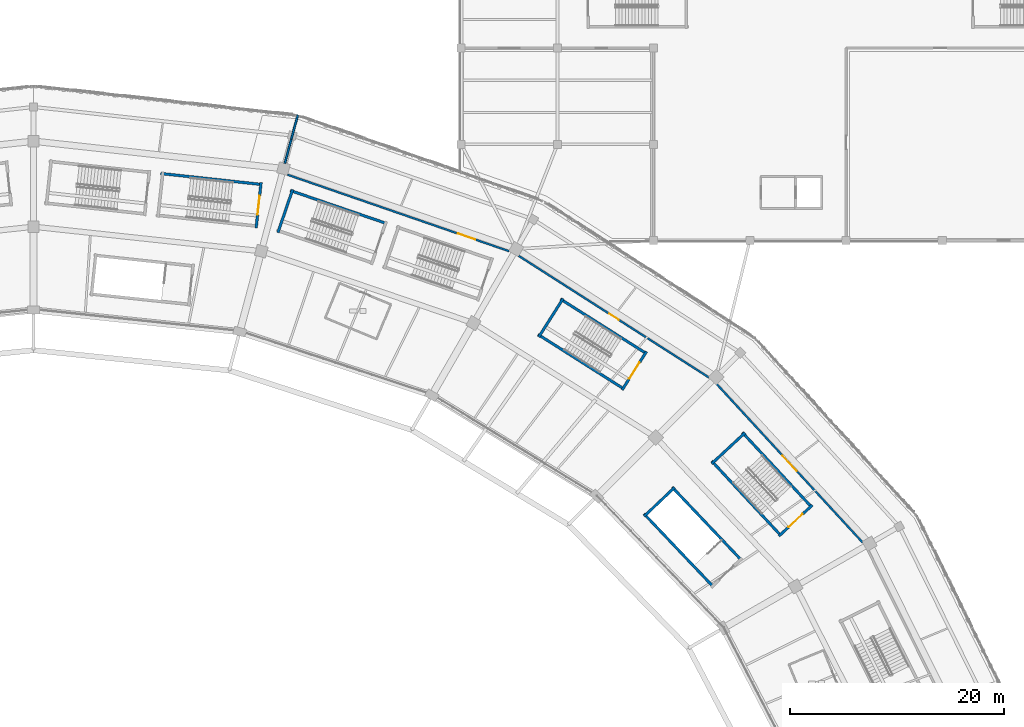
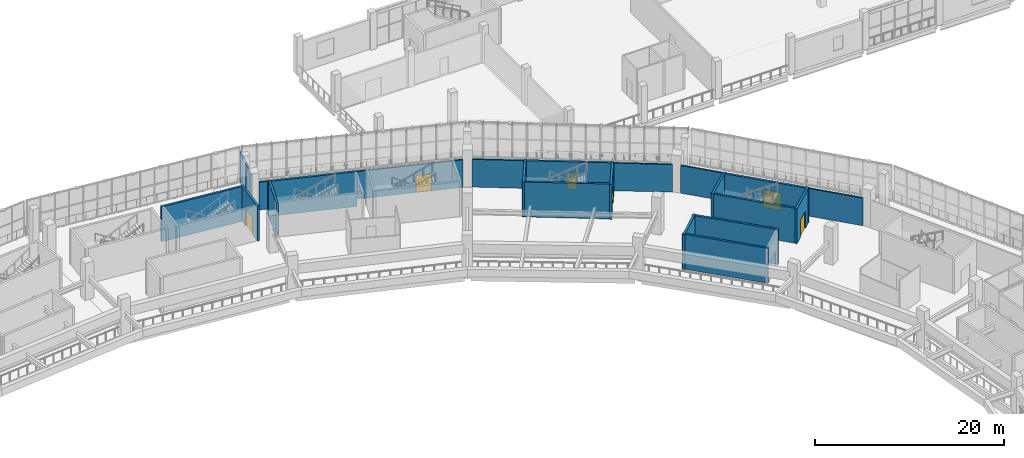
# One storey, part 111 of 179: 20 walls, 6 doors, 6 openings.
"""IFC4 building model written with IfcOpenShell, lengths in metres."""

from ifc_helpers import new_model, si_unit, direction, frame, frame_2d, origin, place, context, subcontext, project, spatial, rectangle, extrude, material, layer, layer_set, type_object, element, fill, save


model = new_model("IFC4")

# Units and contexts
model_context = context("Model", 3, precision=1e-05, world=origin(), true_north=direction((0.0, 1.0)))
body_context = subcontext(model_context, "Body", "Model", "MODEL_VIEW")
ifc_project = project(units=[si_unit("LENGTHUNIT", "METRE"), si_unit("AREAUNIT", "SQUARE_METRE"), si_unit("VOLUMEUNIT", "CUBIC_METRE"), si_unit("PLANEANGLEUNIT", "RADIAN"), si_unit("MASSUNIT", "GRAM", prefix="KILO")], contexts=[model_context])

# Site, building, storey
site_placement = place(None, origin())
site = spatial("IfcSite", under=ifc_project, at=site_placement, CompositionType="ELEMENT")
building_placement = place(site_placement, origin())
building = spatial("IfcBuilding", under=site, at=building_placement, Name="Zevraka Park Crest Stadium", CompositionType="ELEMENT")
storey_placement = place(building_placement, frame((0.0, 0.0, 10.199951171875)))
storey = spatial("IfcBuildingStorey", under=building, at=storey_placement, Name="L02", CompositionType="ELEMENT", Elevation=10.199951171875)

# Wall, opening, door
ifc_material_1 = material(Name="Fire-rated twin-stud acoustic drywall", Category="other")
ifc_layer_1 = layer(ifc_material_1, 0.179931640625)
ifc_layer_set_1 = layer_set([ifc_layer_1], Name="Fire-rated twin-stud acoustic drywall")
wall_type_1 = type_object("IfcWallType", Name="IW06", PredefinedType="PARTITIONING", material=ifc_layer_set_1)
wall_1_placement = place(storey_placement, frame((189.56005859375, 129.741943359375, 0.0), z_axis=(0.0, 0.0, 1.0), x_axis=(-0.677448860536, 0.735569875239, 0.0)))
wall_1 = element("IfcWall", 1, at=wall_1_placement, inside=storey, type_object=wall_type_1, Name="Interior Partition IW06 East Club Dining Lounge L02", PredefinedType="PARTITIONING", context=body_context, shape_type="SweptSolid", body=[
    extrude(rectangle(XDim=20.16259765625, YDim=0.179931640625, at=frame_2d((10.081298828125, 0.0))), origin(), (0.0, 0.0, 1.0), 3.56494140625),
])
opening_1_placement = place(wall_1_placement, frame((9.10595703125, 0.0, 0.0)))
opening_1 = element("IfcOpeningElement", 2, at=opening_1_placement, cuts=wall_1, Name="Opening D-L02-401", PredefinedType="OPENING", context=body_context, shape_type="SweptSolid", body=[
    extrude(rectangle(XDim=1.949951171875, YDim=2.35009765625, at=frame_2d((0.97509765625, 1.175048828125))), frame((0.0, 0.099853515625, 0.0), z_axis=(0.0, -1.0, 0.0), x_axis=(1.0, 0.0, 0.0)), (0.0, 0.0, 1.0), 0.199951171875),
])
ifc_material_2 = material(Name="Solid-core hardwood timber leaf in steel frame", Category="steel")
door_type_1 = type_object("IfcDoorType", Name="DR28", OperationType="NOTDEFINED", PredefinedType="DOOR", material=ifc_material_2)
door_1_placement = place(opening_1_placement, origin())
door_1 = element("IfcDoor", 3, at=door_1_placement, inside=storey, type_object=door_type_1, Name="East Club Dining Lounge Door D-L02-401", OperationType="DOUBLE_DOOR_SINGLE_SWING", OverallHeight=2.35009765625, OverallWidth=1.949951171875, PredefinedType="DOOR", context=body_context, shape_type="SweptSolid", body=[
    extrude(rectangle(XDim=1.949951171875, YDim=2.35009765625, at=frame_2d((0.97509765625, 1.175048828125))), frame((0.0, 0.02490234375, 0.0), z_axis=(0.0, -1.0, 0.0), x_axis=(1.0, 0.0, 0.0)), (0.0, 0.0, 1.0), 0.050048828125),
])
fill(opening_1, door_1)

wall_2_placement = place(storey_placement, frame((175.201904296875, 145.174072265625, 0.0), z_axis=(0.0, 0.0, 1.0), x_axis=(-0.842559137296, 0.538603843431, 0.0)))
wall_2 = element("IfcWall", 4, at=wall_2_placement, inside=storey, type_object=wall_type_1, Name="Interior Partition IW06 East Club Dining Lounge L02", PredefinedType="PARTITIONING", context=body_context, shape_type="SweptSolid", body=[
    extrude(rectangle(XDim=21.163818359375, YDim=0.179931640625, at=frame_2d((10.58203125, 0.0))), origin(), (0.0, 0.0, 1.0), 3.56494140625),
])
opening_2_placement = place(wall_2_placement, frame((10.056884765625, 0.0, 0.0)))
opening_2 = element("IfcOpeningElement", 5, at=opening_2_placement, cuts=wall_2, Name="Opening D-L02-402", PredefinedType="OPENING", context=body_context, shape_type="SweptSolid", body=[
    extrude(rectangle(XDim=1.050048828125, YDim=2.14990234375, at=frame_2d((0.52490234375, 1.074951171875))), frame((0.0, 0.099853515625, 0.0), z_axis=(0.0, -1.0, 0.0), x_axis=(1.0, 0.0, 0.0)), (0.0, 0.0, 1.0), 0.199951171875),
])
ifc_material_3 = material(Name="Solid-core hardwood timber leaf in steel frame", Category="steel")
door_type_2 = type_object("IfcDoorType", Name="DR02", OperationType="NOTDEFINED", PredefinedType="DOOR", material=ifc_material_3)
door_2_placement = place(opening_2_placement, origin())
door_2 = element("IfcDoor", 6, at=door_2_placement, inside=storey, type_object=door_type_2, Name="East Club Dining Lounge Door D-L02-402", OperationType="SINGLE_SWING_RIGHT", OverallHeight=2.14990234375, OverallWidth=1.050048828125, PredefinedType="DOOR", context=body_context, shape_type="SweptSolid", body=[
    extrude(rectangle(XDim=1.050048828125, YDim=2.14990234375, at=frame_2d((0.52490234375, 1.074951171875))), frame((0.0, 0.02490234375, 0.0), z_axis=(0.0, -1.0, 0.0), x_axis=(1.0, 0.0, 0.0)), (0.0, 0.0, 1.0), 0.050048828125),
])
fill(opening_2, door_2)

wall_3_placement = place(storey_placement, frame((156.493896484375, 157.001953125, 0.0), z_axis=(0.0, 0.0, 1.0), x_axis=(-0.94529233531, 0.326224463834, 0.0)))
wall_3 = element("IfcWall", 7, at=wall_3_placement, inside=storey, type_object=wall_type_1, Name="Interior Partition IW06 East Club Dining Lounge L02", PredefinedType="PARTITIONING", context=body_context, shape_type="SweptSolid", body=[
    extrude(rectangle(XDim=21.948486328125, YDim=0.179931640625, at=frame_2d((10.97412109375, 0.0))), origin(), (0.0, 0.0, 1.0), 3.56494140625),
])
opening_3_placement = place(wall_3_placement, frame((3.3779296875, 0.0, 0.0)))
opening_3 = element("IfcOpeningElement", 8, at=opening_3_placement, cuts=wall_3, Name="Opening D-L02-403", PredefinedType="OPENING", context=body_context, shape_type="SweptSolid", body=[
    extrude(rectangle(XDim=1.699951171875, YDim=2.199951171875, at=frame_2d((0.85009765625, 1.10009765625))), frame((0.0, 0.099853515625, 0.0), z_axis=(0.0, -1.0, 0.0), x_axis=(1.0, 0.0, 0.0)), (0.0, 0.0, 1.0), 0.199951171875),
])
ifc_material_4 = material(Name="Solid-core hardwood timber leaf in steel frame", Category="steel")
door_type_3 = type_object("IfcDoorType", Name="DR14", OperationType="NOTDEFINED", PredefinedType="DOOR", material=ifc_material_4)
door_3_placement = place(opening_3_placement, origin())
door_3 = element("IfcDoor", 9, at=door_3_placement, inside=storey, type_object=door_type_3, Name="East Club Dining Lounge Door D-L02-403", OperationType="DOUBLE_DOOR_SINGLE_SWING", OverallHeight=2.199951171875, OverallWidth=1.699951171875, PredefinedType="DOOR", context=body_context, shape_type="SweptSolid", body=[
    extrude(rectangle(XDim=1.699951171875, YDim=2.199951171875, at=frame_2d((0.85009765625, 1.10009765625))), frame((0.0, 0.02490234375, 0.0), z_axis=(0.0, -1.0, 0.0), x_axis=(1.0, 0.0, 0.0)), (0.0, 0.0, 1.0), 0.050048828125),
])
fill(opening_3, door_3)

# Walls
wall_4_placement = place(storey_placement, frame((135.5029296875, 165.22705078125, 0.0), z_axis=(0.0, 0.0, 1.0), x_axis=(0.258875784953, 0.965910621106, 0.0)))
element("IfcWall", 10, at=wall_4_placement, inside=storey, type_object=wall_type_1, Name="Interior Partition IW06 East Club Dining Lounge L02", PredefinedType="PARTITIONING", context=body_context, shape_type="SweptSolid", body=[
    extrude(rectangle(XDim=2.329345703125, YDim=0.179931640625, at=frame_2d((1.16455078125, 0.0))), origin(), (0.0, 0.0, 1.0), 3.9150390625),
])
wall_5_placement = place(storey_placement, frame((136.10302734375, 167.4619140625, 0.0), z_axis=(0.0, 0.0, 1.0), x_axis=(0.258436451023, 0.966028260861, 0.0)))
element("IfcWall", 11, at=wall_5_placement, inside=storey, type_object=wall_type_1, Name="Interior Partition IW06 East Club Dining Lounge L02", PredefinedType="PARTITIONING", context=body_context, shape_type="SweptSolid", body=[
    extrude(rectangle(XDim=2.3759765625, YDim=0.179931640625, at=frame_2d((1.18798828125, 0.0))), origin(), (0.0, 0.0, 1.0), 3.9150390625),
])
ifc_material_5 = material(Name="Concrete C40/50", Category="concrete")
ifc_layer_2 = layer(ifc_material_5, 0.25)
ifc_layer_set_2 = layer_set([ifc_layer_2], Name="Concrete C40/50")
wall_type_2 = type_object("IfcWallType", Name="SW01", PredefinedType="SHEAR", material=ifc_layer_set_2)
for number, where, z_axis, x_axis, name in (
    (12, (184.8017578125, 133.047119140625, 0.0), (0.0, 0.0, 1.0), (-0.680258890476, 0.732971924379, 0.0), "Stair Core Shear Wall SW01 ST03 L02 left"),
    (13, (175.431884765625, 137.38037109375, 0.0), (0.0, 0.0, 1.0), (0.680271637111, -0.732960094236, 0.0), "Stair Core Shear Wall SW01 ST03 L02 right"),
):
    element("IfcWall", number, at=place(storey_placement, frame(where, z_axis=z_axis, x_axis=x_axis)), inside=storey, type_object=wall_type_2, Name=name, PredefinedType="SHEAR", context=body_context, shape_type="SweptSolid", body=[
        extrude(rectangle(XDim=9.550048828125, YDim=0.25, at=frame_2d((4.77490234375, 0.0))), origin(), (0.0, 0.0, 1.0), 4.5),
    ])

# Wall, opening, door
wall_6_placement = place(storey_placement, frame((181.71875, 130.3564453125, 0.0), z_axis=(0.0, 0.0, 1.0), x_axis=(0.732977166505, 0.680253242096, 0.0)))
wall_6 = element("IfcWall", 14, at=wall_6_placement, inside=storey, type_object=wall_type_2, Name="Stair Core Shear Wall SW01 ST03 L02 near", PredefinedType="SHEAR", context=body_context, shape_type="SweptSolid", body=[
    extrude(rectangle(XDim=4.260009765625, YDim=0.25, at=frame_2d((2.1298828125, 0.0))), origin(), (0.0, 0.0, 1.0), 4.5),
])
opening_4_placement = place(wall_6_placement, frame((1.22998046875, 0.0, 0.0)))
opening_4 = element("IfcOpeningElement", 15, at=opening_4_placement, cuts=wall_6, Name="Opening D-L02-018", PredefinedType="OPENING", context=body_context, shape_type="SweptSolid", body=[
    extrude(rectangle(XDim=1.800048828125, YDim=2.25, at=frame_2d((0.89990234375, 1.125))), frame((0.0, 0.135009765625, 0.0), z_axis=(0.0, -1.0, 0.0), x_axis=(1.0, 0.0, 0.0)), (0.0, 0.0, 1.0), 0.27001953125),
])
ifc_material_6 = material(Name="Solid-core hardwood timber leaf in steel frame", Category="steel")
door_type_4 = type_object("IfcDoorType", Name="DR04", OperationType="NOTDEFINED", PredefinedType="DOOR", material=ifc_material_6)
door_4_placement = place(opening_4_placement, origin())
door_4 = element("IfcDoor", 16, at=door_4_placement, inside=storey, type_object=door_type_4, Name="Protected Stair Entry Door ST03 L02", OperationType="DOUBLE_DOOR_SINGLE_SWING", OverallHeight=2.25, OverallWidth=1.800048828125, PredefinedType="DOOR", context=body_context, shape_type="SweptSolid", body=[
    extrude(rectangle(XDim=1.800048828125, YDim=2.25, at=frame_2d((0.89990234375, 1.125))), frame((0.0, 0.02490234375, 0.0), z_axis=(0.0, -1.0, 0.0), x_axis=(1.0, 0.0, 0.0)), (0.0, 0.0, 1.0), 0.050048828125),
])
fill(opening_4, door_4)

# Walls
wall_7_placement = place(storey_placement, frame((178.5556640625, 140.027099609375, 0.0), z_axis=(0.0, 0.0, 1.0), x_axis=(-0.73295064559, -0.680281817433, 0.0)))
element("IfcWall", 17, at=wall_7_placement, inside=storey, type_object=wall_type_2, Name="Stair Core Shear Wall SW01 ST03 L02 far", PredefinedType="SHEAR", context=body_context, shape_type="SweptSolid", body=[
    extrude(rectangle(XDim=4.260009765625, YDim=0.25, at=frame_2d((2.1298828125, 0.0))), origin(), (0.0, 0.0, 1.0), 4.5),
])
for number, where, z_axis, x_axis, name in (
    (18, (169.349853515625, 147.41455078125, 0.0), (0.0, 0.0, 1.0), (-0.844391246241, 0.535727004427, 0.0), "Stair Core Shear Wall SW01 ST04 L02 left"),
    (19, (159.18603515625, 149.220703125, 0.0), (0.0, 0.0, 1.0), (0.844391246241, -0.535727004427, 0.0), "Stair Core Shear Wall SW01 ST04 L02 right"),
):
    element("IfcWall", number, at=place(storey_placement, frame(where, z_axis=z_axis, x_axis=x_axis)), inside=storey, type_object=wall_type_2, Name=name, PredefinedType="SHEAR", context=body_context, shape_type="SweptSolid", body=[
        extrude(rectangle(XDim=9.550048828125, YDim=0.25, at=frame_2d((4.77490234375, 0.0))), origin(), (0.0, 0.0, 1.0), 4.5),
    ])

# Wall, opening, door
wall_8_placement = place(storey_placement, frame((167.05322265625, 144.028076171875, 0.0), z_axis=(0.0, 0.0, 1.0), x_axis=(0.53572544074, 0.844392238325, 0.0)))
wall_8 = element("IfcWall", 20, at=wall_8_placement, inside=storey, type_object=wall_type_2, Name="Stair Core Shear Wall SW01 ST04 L02 near", PredefinedType="SHEAR", context=body_context, shape_type="SweptSolid", body=[
    extrude(rectangle(XDim=4.260009765625, YDim=0.25, at=frame_2d((2.1298828125, 0.0))), origin(), (0.0, 0.0, 1.0), 4.5),
])
opening_5_placement = place(wall_8_placement, frame((1.22998046875, 0.0, 0.0)))
opening_5 = element("IfcOpeningElement", 21, at=opening_5_placement, cuts=wall_8, Name="Opening D-L02-024", PredefinedType="OPENING", context=body_context, shape_type="SweptSolid", body=[
    extrude(rectangle(XDim=1.800048828125, YDim=2.25, at=frame_2d((0.89990234375, 1.125))), frame((0.0, 0.135009765625, 0.0), z_axis=(0.0, -1.0, 0.0), x_axis=(1.0, 0.0, 0.0)), (0.0, 0.0, 1.0), 0.27001953125),
])
door_5_placement = place(opening_5_placement, origin())
door_5 = element("IfcDoor", 22, at=door_5_placement, inside=storey, type_object=door_type_4, Name="Protected Stair Entry Door ST04 L02", OperationType="DOUBLE_DOOR_SINGLE_SWING", OverallHeight=2.25, OverallWidth=1.800048828125, PredefinedType="DOOR", context=body_context, shape_type="SweptSolid", body=[
    extrude(rectangle(XDim=1.800048828125, YDim=2.25, at=frame_2d((0.89990234375, 1.125))), frame((0.0, 0.02490234375, 0.0), z_axis=(0.0, -1.0, 0.0), x_axis=(1.0, 0.0, 0.0)), (0.0, 0.0, 1.0), 0.050048828125),
])
fill(opening_5, door_5)

# Walls
wall_9_placement = place(storey_placement, frame((161.533203125, 152.5751953125, 0.0), z_axis=(0.0, 0.0, 1.0), x_axis=(-0.53572544074, -0.844392238325, 0.0)))
element("IfcWall", 23, at=wall_9_placement, inside=storey, type_object=wall_type_2, Name="Stair Core Shear Wall SW01 ST04 L02 far", PredefinedType="SHEAR", context=body_context, shape_type="SweptSolid", body=[
    extrude(rectangle(XDim=4.260009765625, YDim=0.25, at=frame_2d((2.1298828125, 0.0))), origin(), (0.0, 0.0, 1.0), 4.5),
])
wall_10_placement = place(storey_placement, frame((133.38525390625, 163.243408203125, 0.0), z_axis=(0.0, 0.0, 1.0), x_axis=(-0.994127555169, 0.108214620337, 0.0)))
element("IfcWall", 24, at=wall_10_placement, inside=storey, type_object=wall_type_2, Name="Stair Core Shear Wall SW01 ST06 L02 left", PredefinedType="SHEAR", context=body_context, shape_type="SweptSolid", body=[
    extrude(rectangle(XDim=9.550048828125, YDim=0.25, at=frame_2d((4.77490234375, 0.0))), origin(), (0.0, 0.0, 1.0), 4.5),
])

# Wall, opening, door
wall_11_placement = place(storey_placement, frame((132.818359375, 159.19091796875, 0.0), z_axis=(0.0, 0.0, 1.0), x_axis=(0.108198315262, 0.994129329903, 0.0)))
wall_11 = element("IfcWall", 25, at=wall_11_placement, inside=storey, type_object=wall_type_2, Name="Stair Core Shear Wall SW01 ST06 L02 near", PredefinedType="SHEAR", context=body_context, shape_type="SweptSolid", body=[
    extrude(rectangle(XDim=4.260009765625, YDim=0.25, at=frame_2d((2.1298828125, 0.0))), origin(), (0.0, 0.0, 1.0), 4.5),
])
opening_6_placement = place(wall_11_placement, frame((1.22998046875, 0.0, 0.0)))
opening_6 = element("IfcOpeningElement", 26, at=opening_6_placement, cuts=wall_11, Name="Opening D-L02-035", PredefinedType="OPENING", context=body_context, shape_type="SweptSolid", body=[
    extrude(rectangle(XDim=1.800048828125, YDim=2.25, at=frame_2d((0.89990234375, 1.125))), frame((0.0, 0.135009765625, 0.0), z_axis=(0.0, -1.0, 0.0), x_axis=(1.0, 0.0, 0.0)), (0.0, 0.0, 1.0), 0.27001953125),
])
door_6_placement = place(opening_6_placement, origin())
door_6 = element("IfcDoor", 27, at=door_6_placement, inside=storey, type_object=door_type_4, Name="Protected Stair Entry Door ST06 L02", OperationType="DOUBLE_DOOR_SINGLE_SWING", OverallHeight=2.25, OverallWidth=1.800048828125, PredefinedType="DOOR", context=body_context, shape_type="SweptSolid", body=[
    extrude(rectangle(XDim=1.800048828125, YDim=2.25, at=frame_2d((0.89990234375, 1.125))), frame((0.0, 0.02490234375, 0.0), z_axis=(0.0, -1.0, 0.0), x_axis=(1.0, 0.0, 0.0)), (0.0, 0.0, 1.0), 0.050048828125),
])
fill(opening_6, door_6)

# Walls
wall_12_placement = place(storey_placement, frame((145.04248046875, 159.591796875, 0.0), z_axis=(0.0, 0.0, 1.0), x_axis=(-0.946072259645, 0.323955675256, 0.0)))
element("IfcWall", 28, at=wall_12_placement, inside=storey, type_object=wall_type_2, Name="Stair Core Shear Wall SW01 ST25 L02 left", PredefinedType="SHEAR", context=body_context, shape_type="SweptSolid", body=[
    extrude(rectangle(XDim=9.5498046875, YDim=0.25, at=frame_2d((4.77490234375, 0.0))), origin(), (0.0, 0.0, 1.0), 4.5),
])
wall_13_placement = place(storey_placement, frame((136.237548828125, 162.78662109375, 0.0), z_axis=(0.0, 0.0, 1.0), x_axis=(-0.323971192516, -0.946066946056, 0.0)))
element("IfcWall", 29, at=wall_13_placement, inside=storey, type_object=wall_type_2, Name="Stair Core Shear Wall SW01 ST25 L02 far", PredefinedType="SHEAR", context=body_context, shape_type="SweptSolid", body=[
    extrude(rectangle(XDim=4.260009765625, YDim=0.25, at=frame_2d((2.1298828125, 0.0))), origin(), (0.0, 0.0, 1.0), 4.5),
])
for number, where, z_axis, x_axis, name in (
    (30, (178.232177734375, 128.083740234375, 0.0), (0.0, 0.0, 1.0), (-0.68832701945, 0.725400519916, 0.0), "Stair Core Shear Wall SW01 ST34 L02 left"),
    (31, (169.1015625, 132.447021484375, 0.0), (0.0, 0.0, 1.0), (0.68832701945, -0.725400519916, 0.0), "Stair Core Shear Wall SW01 ST34 L02 right"),
):
    element("IfcWall", number, at=place(storey_placement, frame(where, z_axis=z_axis, x_axis=x_axis)), inside=storey, type_object=wall_type_2, Name=name, PredefinedType="SHEAR", context=body_context, shape_type="SweptSolid", body=[
        extrude(rectangle(XDim=9.449951171875, YDim=0.25, at=frame_2d((4.72509765625, 0.0))), origin(), (0.0, 0.0, 1.0), 4.5),
    ])
wall_14_placement = place(storey_placement, frame((171.97802734375, 134.921630859375, 0.0), z_axis=(0.0, 0.0, 1.0), x_axis=(-0.725390288694, -0.688337801569, 0.0)))
element("IfcWall", 32, at=wall_14_placement, inside=storey, type_object=wall_type_2, Name="Stair Core Shear Wall SW01 ST34 L02 far", PredefinedType="SHEAR", context=body_context, shape_type="SweptSolid", body=[
    extrude(rectangle(XDim=3.9599609375, YDim=0.25, at=frame_2d((1.97998046875, 0.0))), origin(), (0.0, 0.0, 1.0), 4.5),
])

save(model, "model.ifc")
